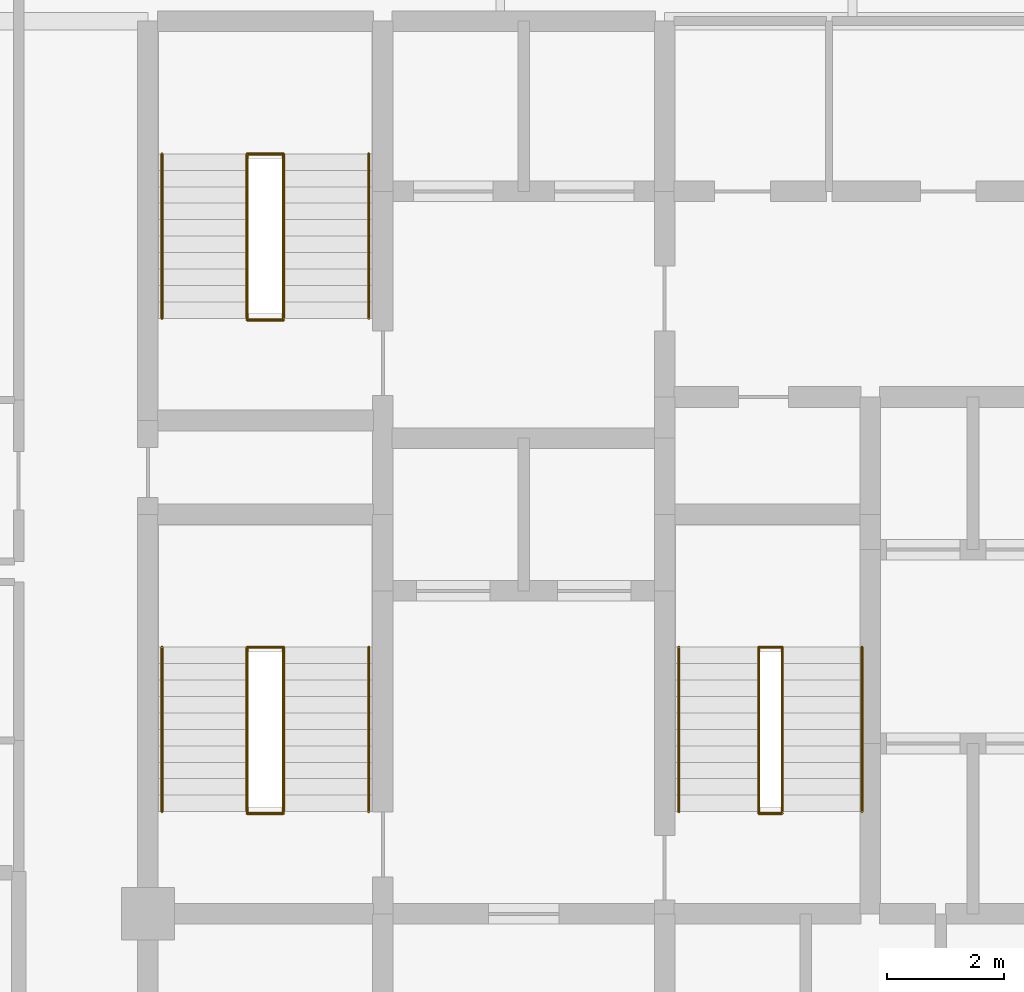
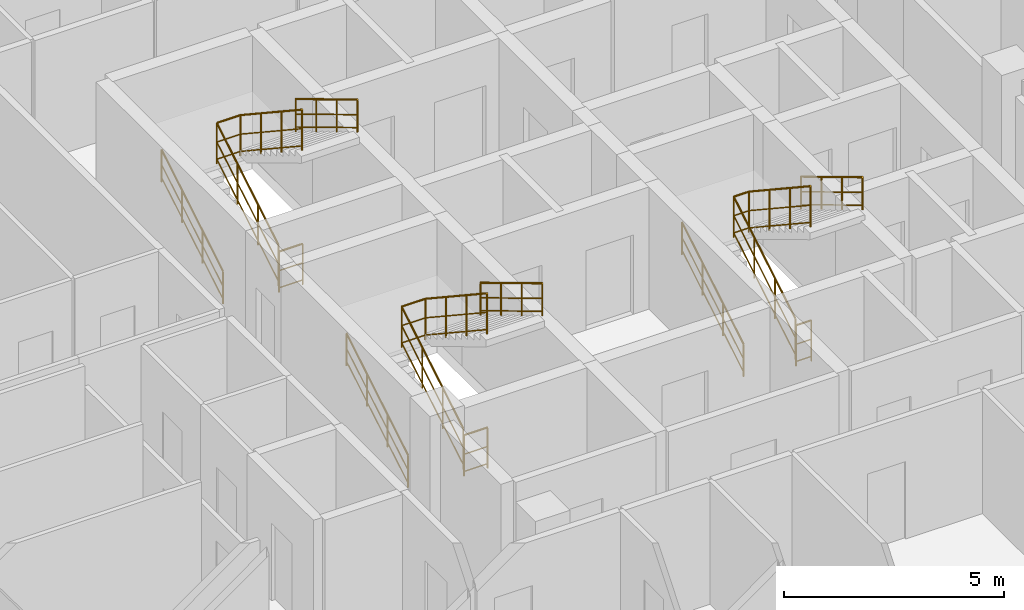
# One storey, part 29 of 29: 12 railings.
"""IFC4 building model written with IfcOpenShell, lengths in metres."""

from ifc_helpers import new_model, si_unit, direction, frame, origin, origin_2d, place, context, subcontext, project, spatial, circle, extrude, material, layer, layer_set, type_object, element, save


model = new_model("IFC4")

# Units and contexts
model_context = context("Model", 3, precision=1e-05, world=origin(), true_north=direction((0.0, 1.0)))
body_context = subcontext(model_context, "Body", "Model", "MODEL_VIEW")
ifc_project = project(units=[si_unit("LENGTHUNIT", "METRE"), si_unit("AREAUNIT", "SQUARE_METRE"), si_unit("VOLUMEUNIT", "CUBIC_METRE"), si_unit("PLANEANGLEUNIT", "RADIAN"), si_unit("MASSUNIT", "GRAM", prefix="KILO")], contexts=[model_context])

# Site, building, storey
site_placement = place(None, origin())
site = spatial("IfcSite", under=ifc_project, at=site_placement, CompositionType="ELEMENT")
building_placement = place(site_placement, origin())
building = spatial("IfcBuilding", under=site, at=building_placement, Name="Keshet Zoharim Tower", CompositionType="ELEMENT")
storey_placement = place(building_placement, frame((0.0, 0.0, 192.10009765625)))
storey = spatial("IfcBuildingStorey", under=building, at=storey_placement, Name="L47", CompositionType="ELEMENT", Elevation=192.10009765625)

# Railings
ifc_material = material(Name="Steel S355", Category="steel")
ifc_layer_1 = layer(ifc_material, 0.050048828125)
ifc_layer_set_1 = layer_set([ifc_layer_1], Name="Steel S355")
railing_type_1 = type_object("IfcRailingType", Name="RL-HND-092", PredefinedType="HANDRAIL", material=ifc_layer_set_1)
railing_1_placement = place(storey_placement, frame((15.239990234375, 24.43994140625, 0.168212890625)))
element("IfcRailing", 1, at=railing_1_placement, inside=storey, type_object=railing_type_1, Name="L47 ST-01 Flight 1 Wall Handrail", PredefinedType="HANDRAIL", context=body_context, shape_type="SweptSolid", body=[
    extrude(circle(Radius=0.02392578125, at=origin_2d()), frame((0.0, 0.0, 0.89599609375), z_axis=(0.0, 0.857275202839, 0.514858452973), x_axis=(-1.0, 0.0, 0.0)), (0.0, 0.0, 1.0), 3.26611328125),
    extrude(circle(Radius=0.01611328125, at=origin_2d()), frame((0.0, 0.0, 0.478271484375), z_axis=(0.0, 0.857275202839, 0.514858452973), x_axis=(-1.0, 0.0, 0.0)), (0.0, 0.0, 1.0), 3.26611328125),
    extrude(circle(Radius=0.01611328125, at=origin_2d()), frame((0.0, 0.0, 0.1201171875), z_axis=(0.0, 0.857275202839, 0.514858452973), x_axis=(-1.0, 0.0, 0.0)), (0.0, 0.0, 1.0), 3.26611328125),
    extrude(circle(Radius=0.02099609375, at=origin_2d()), origin(), (0.0, 0.0, 1.0), 0.871826171875),
    extrude(circle(Radius=0.02099609375, at=origin_2d()), frame((0.0, 0.933349609375, 0.560546875)), (0.0, 0.0, 1.0), 0.871826171875),
    extrude(circle(Radius=0.02099609375, at=origin_2d()), frame((0.0, 1.86669921875, 1.12109375)), (0.0, 0.0, 1.0), 0.871826171875),
    extrude(circle(Radius=0.02099609375, at=origin_2d()), frame((0.0, 2.800048828125, 1.681640625)), (0.0, 0.0, 1.0), 0.871826171875),
])
railing_2_placement = place(storey_placement, frame((18.760009765625, 27.239990234375, 2.01806640625)))
element("IfcRailing", 2, at=railing_2_placement, inside=storey, type_object=railing_type_1, Name="L47 ST-01 Flight 2 Wall Handrail", PredefinedType="HANDRAIL", context=body_context, shape_type="SweptSolid", body=[
    extrude(circle(Radius=0.02392578125, at=origin_2d()), frame((0.0, 0.0, 0.89599609375), z_axis=(0.0, -0.857242210791, 0.514913383045), x_axis=(1.0, 0.0, 0.0)), (0.0, 0.0, 1.0), 3.266357421875),
    extrude(circle(Radius=0.01611328125, at=origin_2d()), frame((0.0, 0.0, 0.478271484375), z_axis=(0.0, -0.857242210791, 0.514913383045), x_axis=(1.0, 0.0, 0.0)), (0.0, 0.0, 1.0), 3.266357421875),
    extrude(circle(Radius=0.01611328125, at=origin_2d()), frame((0.0, 0.0, 0.1201171875), z_axis=(0.0, -0.857242210791, 0.514913383045), x_axis=(1.0, 0.0, 0.0)), (0.0, 0.0, 1.0), 3.266357421875),
    extrude(circle(Radius=0.02099609375, at=origin_2d()), origin(), (0.0, 0.0, 1.0), 0.871826171875),
    extrude(circle(Radius=0.02099609375, at=origin_2d()), frame((0.0, -0.933349609375, 0.560546875)), (0.0, 0.0, 1.0), 0.871826171875),
    extrude(circle(Radius=0.02099609375, at=origin_2d()), frame((0.0, -1.86669921875, 1.121337890625)), (0.0, 0.0, 1.0), 0.871826171875),
    extrude(circle(Radius=0.02099609375, at=origin_2d()), frame((0.0, -2.800048828125, 1.681884765625)), (0.0, 0.0, 1.0), 0.871826171875),
])
railing_3_placement = place(storey_placement, frame((15.239990234375, 32.840087890625, 0.168212890625)))
element("IfcRailing", 3, at=railing_3_placement, inside=storey, type_object=railing_type_1, Name="L47 ST-02 Flight 1 Wall Handrail", PredefinedType="HANDRAIL", context=body_context, shape_type="SweptSolid", body=[
    extrude(circle(Radius=0.02392578125, at=origin_2d()), frame((0.0, 0.0, 0.89599609375), z_axis=(0.0, 0.857255387014, 0.514891446264), x_axis=(-1.0, 0.0, 0.0)), (0.0, 0.0, 1.0), 3.26611328125),
    extrude(circle(Radius=0.01611328125, at=origin_2d()), frame((0.0, 0.0, 0.478271484375), z_axis=(0.0, 0.857255387014, 0.514891446264), x_axis=(-1.0, 0.0, 0.0)), (0.0, 0.0, 1.0), 3.26611328125),
    extrude(circle(Radius=0.01611328125, at=origin_2d()), frame((0.0, 0.0, 0.1201171875), z_axis=(0.0, 0.857255387014, 0.514891446264), x_axis=(-1.0, 0.0, 0.0)), (0.0, 0.0, 1.0), 3.26611328125),
    extrude(circle(Radius=0.02099609375, at=origin_2d()), origin(), (0.0, 0.0, 1.0), 0.871826171875),
    extrude(circle(Radius=0.02099609375, at=origin_2d()), frame((0.0, 0.933349609375, 0.560546875)), (0.0, 0.0, 1.0), 0.871826171875),
    extrude(circle(Radius=0.02099609375, at=origin_2d()), frame((0.0, 1.866455078125, 1.12109375)), (0.0, 0.0, 1.0), 0.871826171875),
    extrude(circle(Radius=0.02099609375, at=origin_2d()), frame((0.0, 2.7998046875, 1.681640625)), (0.0, 0.0, 1.0), 0.871826171875),
])
railing_4_placement = place(storey_placement, frame((18.760009765625, 35.639892578125, 2.01806640625)))
element("IfcRailing", 4, at=railing_4_placement, inside=storey, type_object=railing_type_1, Name="L47 ST-02 Flight 2 Wall Handrail", PredefinedType="HANDRAIL", context=body_context, shape_type="SweptSolid", body=[
    extrude(circle(Radius=0.02392578125, at=origin_2d()), frame((0.0, 0.0, 0.89599609375), z_axis=(0.0, -0.857222391501, 0.514946377315), x_axis=(1.0, 0.0, 0.0)), (0.0, 0.0, 1.0), 3.26611328125),
    extrude(circle(Radius=0.01611328125, at=origin_2d()), frame((0.0, 0.0, 0.478271484375), z_axis=(0.0, -0.857222391501, 0.514946377315), x_axis=(1.0, 0.0, 0.0)), (0.0, 0.0, 1.0), 3.26611328125),
    extrude(circle(Radius=0.01611328125, at=origin_2d()), frame((0.0, 0.0, 0.1201171875), z_axis=(0.0, -0.857222391501, 0.514946377315), x_axis=(1.0, 0.0, 0.0)), (0.0, 0.0, 1.0), 3.26611328125),
    extrude(circle(Radius=0.02099609375, at=origin_2d()), origin(), (0.0, 0.0, 1.0), 0.871826171875),
    extrude(circle(Radius=0.02099609375, at=origin_2d()), frame((0.0, -0.933349609375, 0.560546875)), (0.0, 0.0, 1.0), 0.871826171875),
    extrude(circle(Radius=0.02099609375, at=origin_2d()), frame((0.0, -1.866455078125, 1.121337890625)), (0.0, 0.0, 1.0), 0.871826171875),
    extrude(circle(Radius=0.02099609375, at=origin_2d()), frame((0.0, -2.7998046875, 1.681884765625)), (0.0, 0.0, 1.0), 0.871826171875),
])
railing_5_placement = place(storey_placement, frame((24.0400390625, 24.43994140625, 0.168212890625)))
element("IfcRailing", 5, at=railing_5_placement, inside=storey, type_object=railing_type_1, Name="L47 ST-03 Flight 1 Wall Handrail", PredefinedType="HANDRAIL", context=body_context, shape_type="SweptSolid", body=[
    extrude(circle(Radius=0.02392578125, at=origin_2d()), frame((0.0, 0.0, 0.89599609375), z_axis=(0.0, 0.857275202839, 0.514858452973), x_axis=(-1.0, 0.0, 0.0)), (0.0, 0.0, 1.0), 3.26611328125),
    extrude(circle(Radius=0.01611328125, at=origin_2d()), frame((0.0, 0.0, 0.478271484375), z_axis=(0.0, 0.857275202839, 0.514858452973), x_axis=(-1.0, 0.0, 0.0)), (0.0, 0.0, 1.0), 3.26611328125),
    extrude(circle(Radius=0.01611328125, at=origin_2d()), frame((0.0, 0.0, 0.1201171875), z_axis=(0.0, 0.857275202839, 0.514858452973), x_axis=(-1.0, 0.0, 0.0)), (0.0, 0.0, 1.0), 3.26611328125),
    extrude(circle(Radius=0.02099609375, at=origin_2d()), origin(), (0.0, 0.0, 1.0), 0.871826171875),
    extrude(circle(Radius=0.02099609375, at=origin_2d()), frame((0.0, 0.933349609375, 0.560546875)), (0.0, 0.0, 1.0), 0.871826171875),
    extrude(circle(Radius=0.02099609375, at=origin_2d()), frame((0.0, 1.86669921875, 1.12109375)), (0.0, 0.0, 1.0), 0.871826171875),
    extrude(circle(Radius=0.02099609375, at=origin_2d()), frame((0.0, 2.800048828125, 1.681640625)), (0.0, 0.0, 1.0), 0.871826171875),
])
railing_6_placement = place(storey_placement, frame((27.159912109375, 27.239990234375, 2.01806640625)))
element("IfcRailing", 6, at=railing_6_placement, inside=storey, type_object=railing_type_1, Name="L47 ST-03 Flight 2 Wall Handrail", PredefinedType="HANDRAIL", context=body_context, shape_type="SweptSolid", body=[
    extrude(circle(Radius=0.02392578125, at=origin_2d()), frame((0.0, 0.0, 0.89599609375), z_axis=(0.0, -0.857242210791, 0.514913383045), x_axis=(1.0, 0.0, 0.0)), (0.0, 0.0, 1.0), 3.266357421875),
    extrude(circle(Radius=0.01611328125, at=origin_2d()), frame((0.0, 0.0, 0.478271484375), z_axis=(0.0, -0.857242210791, 0.514913383045), x_axis=(1.0, 0.0, 0.0)), (0.0, 0.0, 1.0), 3.266357421875),
    extrude(circle(Radius=0.01611328125, at=origin_2d()), frame((0.0, 0.0, 0.1201171875), z_axis=(0.0, -0.857242210791, 0.514913383045), x_axis=(1.0, 0.0, 0.0)), (0.0, 0.0, 1.0), 3.266357421875),
    extrude(circle(Radius=0.02099609375, at=origin_2d()), origin(), (0.0, 0.0, 1.0), 0.871826171875),
    extrude(circle(Radius=0.02099609375, at=origin_2d()), frame((0.0, -0.933349609375, 0.560546875)), (0.0, 0.0, 1.0), 0.871826171875),
    extrude(circle(Radius=0.02099609375, at=origin_2d()), frame((0.0, -1.86669921875, 1.121337890625)), (0.0, 0.0, 1.0), 0.871826171875),
    extrude(circle(Radius=0.02099609375, at=origin_2d()), frame((0.0, -2.800048828125, 1.681884765625)), (0.0, 0.0, 1.0), 0.871826171875),
])
ifc_layer_2 = layer(ifc_material, 0.06005859375)
ifc_layer_set_2 = layer_set([ifc_layer_2], Name="Steel S355")
railing_type_2 = type_object("IfcRailingType", Name="RL-STG-115", PredefinedType="GUARDRAIL", material=ifc_layer_set_2)
railing_7_placement = place(storey_placement, frame((16.68994140625, 24.43994140625, 0.168212890625)))
element("IfcRailing", 7, at=railing_7_placement, inside=storey, type_object=railing_type_2, Name="L47 ST-01 Inner Well Guardrail", PredefinedType="GUARDRAIL", context=body_context, shape_type="SweptSolid", body=[
    extrude(circle(Radius=0.02392578125, at=origin_2d()), frame((0.0, 0.0, 1.1259765625), z_axis=(0.0, 0.857275202839, 0.514858452973), x_axis=(-1.0, 0.0, 0.0)), (0.0, 0.0, 1.0), 3.26611328125),
    extrude(circle(Radius=0.01611328125, at=origin_2d()), frame((0.0, 0.0, 0.597900390625), z_axis=(0.0, 0.857275202839, 0.514858452973), x_axis=(-1.0, 0.0, 0.0)), (0.0, 0.0, 1.0), 3.26611328125),
    extrude(circle(Radius=0.01611328125, at=origin_2d()), frame((0.0, 0.0, 0.1201171875), z_axis=(0.0, 0.857275202839, 0.514858452973), x_axis=(-1.0, 0.0, 0.0)), (0.0, 0.0, 1.0), 3.26611328125),
    extrude(circle(Radius=0.02392578125, at=origin_2d()), frame((0.0, 2.800048828125, 2.8076171875), z_axis=(1.0, 0.0, 0.0), x_axis=(0.0, 1.0, 0.0)), (0.0, 0.0, 1.0), 0.6201171875),
    extrude(circle(Radius=0.01611328125, at=origin_2d()), frame((0.0, 2.800048828125, 2.279541015625), z_axis=(1.0, 0.0, 0.0), x_axis=(0.0, 1.0, 0.0)), (0.0, 0.0, 1.0), 0.6201171875),
    extrude(circle(Radius=0.01611328125, at=origin_2d()), frame((0.0, 2.800048828125, 1.8017578125), z_axis=(1.0, 0.0, 0.0), x_axis=(0.0, 1.0, 0.0)), (0.0, 0.0, 1.0), 0.6201171875),
    extrude(circle(Radius=0.02392578125, at=origin_2d()), frame((0.6201171875, 2.800048828125, 2.8076171875), z_axis=(0.0, -0.834326358476, 0.551270829586), x_axis=(1.0, 0.0, 0.0)), (0.0, 0.0, 1.0), 3.35595703125),
    extrude(circle(Radius=0.01611328125, at=origin_2d()), frame((0.6201171875, 2.800048828125, 2.279541015625), z_axis=(0.0, -0.834326358476, 0.551270829586), x_axis=(1.0, 0.0, 0.0)), (0.0, 0.0, 1.0), 3.35595703125),
    extrude(circle(Radius=0.01611328125, at=origin_2d()), frame((0.6201171875, 2.800048828125, 1.8017578125), z_axis=(0.0, -0.834326358476, 0.551270829586), x_axis=(1.0, 0.0, 0.0)), (0.0, 0.0, 1.0), 3.35595703125),
    extrude(circle(Radius=0.02099609375, at=origin_2d()), origin(), (0.0, 0.0, 1.0), 1.101806640625),
    extrude(circle(Radius=0.02099609375, at=origin_2d()), frame((0.0, 0.933349609375, 0.560546875)), (0.0, 0.0, 1.0), 1.101806640625),
    extrude(circle(Radius=0.02099609375, at=origin_2d()), frame((0.0, 1.86669921875, 1.12109375)), (0.0, 0.0, 1.0), 1.101806640625),
    extrude(circle(Radius=0.02099609375, at=origin_2d()), frame((0.0, 2.800048828125, 1.681640625)), (0.0, 0.0, 1.0), 1.101806640625),
    extrude(circle(Radius=0.02099609375, at=origin_2d()), frame((0.6201171875, 2.800048828125, 1.681640625)), (0.0, 0.0, 1.0), 1.101806640625),
    extrude(circle(Radius=0.02099609375, at=origin_2d()), frame((0.6201171875, 1.86669921875, 2.29833984375)), (0.0, 0.0, 1.0), 1.101806640625),
    extrude(circle(Radius=0.02099609375, at=origin_2d()), frame((0.6201171875, 0.933349609375, 2.9150390625)), (0.0, 0.0, 1.0), 1.101806640625),
    extrude(circle(Radius=0.02099609375, at=origin_2d()), frame((0.6201171875, 0.0, 3.53173828125)), (0.0, 0.0, 1.0), 1.101806640625),
])
railing_8_placement = place(storey_placement, frame((16.68994140625, 24.409912109375, 0.0)))
element("IfcRailing", 8, at=railing_8_placement, inside=storey, type_object=railing_type_2, Name="L47 ST-01 Stairwell Floor Guardrail", PredefinedType="GUARDRAIL", context=body_context, shape_type="SweptSolid", body=[
    extrude(circle(Radius=0.02392578125, at=origin_2d()), frame((0.0, 0.0, 1.1259765625), z_axis=(1.0, 0.0, 0.0), x_axis=(0.0, 1.0, 0.0)), (0.0, 0.0, 1.0), 0.6201171875),
    extrude(circle(Radius=0.01611328125, at=origin_2d()), frame((0.0, 0.0, 0.597900390625), z_axis=(1.0, 0.0, 0.0), x_axis=(0.0, 1.0, 0.0)), (0.0, 0.0, 1.0), 0.6201171875),
    extrude(circle(Radius=0.01611328125, at=origin_2d()), frame((0.0, 0.0, 0.1201171875), z_axis=(1.0, 0.0, 0.0), x_axis=(0.0, 1.0, 0.0)), (0.0, 0.0, 1.0), 0.6201171875),
    extrude(circle(Radius=0.02099609375, at=origin_2d()), origin(), (0.0, 0.0, 1.0), 1.101806640625),
    extrude(circle(Radius=0.02099609375, at=origin_2d()), frame((0.6201171875, 0.0, 0.0)), (0.0, 0.0, 1.0), 1.101806640625),
])
railing_9_placement = place(storey_placement, frame((16.68994140625, 32.840087890625, 0.168212890625)))
element("IfcRailing", 9, at=railing_9_placement, inside=storey, type_object=railing_type_2, Name="L47 ST-02 Inner Well Guardrail", PredefinedType="GUARDRAIL", context=body_context, shape_type="SweptSolid", body=[
    extrude(circle(Radius=0.02392578125, at=origin_2d()), frame((0.0, 0.0, 1.1259765625), z_axis=(0.0, 0.857255387014, 0.514891446264), x_axis=(-1.0, 0.0, 0.0)), (0.0, 0.0, 1.0), 3.26611328125),
    extrude(circle(Radius=0.01611328125, at=origin_2d()), frame((0.0, 0.0, 0.597900390625), z_axis=(0.0, 0.857255387014, 0.514891446264), x_axis=(-1.0, 0.0, 0.0)), (0.0, 0.0, 1.0), 3.26611328125),
    extrude(circle(Radius=0.01611328125, at=origin_2d()), frame((0.0, 0.0, 0.1201171875), z_axis=(0.0, 0.857255387014, 0.514891446264), x_axis=(-1.0, 0.0, 0.0)), (0.0, 0.0, 1.0), 3.26611328125),
    extrude(circle(Radius=0.02392578125, at=origin_2d()), frame((0.0, 2.7998046875, 2.8076171875), z_axis=(1.0, 0.0, 0.0), x_axis=(0.0, 1.0, 0.0)), (0.0, 0.0, 1.0), 0.6201171875),
    extrude(circle(Radius=0.01611328125, at=origin_2d()), frame((0.0, 2.7998046875, 2.279541015625), z_axis=(1.0, 0.0, 0.0), x_axis=(0.0, 1.0, 0.0)), (0.0, 0.0, 1.0), 0.6201171875),
    extrude(circle(Radius=0.01611328125, at=origin_2d()), frame((0.0, 2.7998046875, 1.8017578125), z_axis=(1.0, 0.0, 0.0), x_axis=(0.0, 1.0, 0.0)), (0.0, 0.0, 1.0), 0.6201171875),
    extrude(circle(Radius=0.02392578125, at=origin_2d()), frame((0.6201171875, 2.7998046875, 2.8076171875), z_axis=(0.0, -0.834304248922, 0.551304290053), x_axis=(1.0, 0.0, 0.0)), (0.0, 0.0, 1.0), 3.35595703125),
    extrude(circle(Radius=0.01611328125, at=origin_2d()), frame((0.6201171875, 2.7998046875, 2.279541015625), z_axis=(0.0, -0.834304248922, 0.551304290053), x_axis=(1.0, 0.0, 0.0)), (0.0, 0.0, 1.0), 3.35595703125),
    extrude(circle(Radius=0.01611328125, at=origin_2d()), frame((0.6201171875, 2.7998046875, 1.8017578125), z_axis=(0.0, -0.834304248922, 0.551304290053), x_axis=(1.0, 0.0, 0.0)), (0.0, 0.0, 1.0), 3.35595703125),
    extrude(circle(Radius=0.02099609375, at=origin_2d()), origin(), (0.0, 0.0, 1.0), 1.101806640625),
    extrude(circle(Radius=0.02099609375, at=origin_2d()), frame((0.0, 0.933349609375, 0.560546875)), (0.0, 0.0, 1.0), 1.101806640625),
    extrude(circle(Radius=0.02099609375, at=origin_2d()), frame((0.0, 1.866455078125, 1.12109375)), (0.0, 0.0, 1.0), 1.101806640625),
    extrude(circle(Radius=0.02099609375, at=origin_2d()), frame((0.0, 2.7998046875, 1.681640625)), (0.0, 0.0, 1.0), 1.101806640625),
    extrude(circle(Radius=0.02099609375, at=origin_2d()), frame((0.6201171875, 2.7998046875, 1.681640625)), (0.0, 0.0, 1.0), 1.101806640625),
    extrude(circle(Radius=0.02099609375, at=origin_2d()), frame((0.6201171875, 1.866455078125, 2.29833984375)), (0.0, 0.0, 1.0), 1.101806640625),
    extrude(circle(Radius=0.02099609375, at=origin_2d()), frame((0.6201171875, 0.933349609375, 2.9150390625)), (0.0, 0.0, 1.0), 1.101806640625),
    extrude(circle(Radius=0.02099609375, at=origin_2d()), frame((0.6201171875, 0.0, 3.53173828125)), (0.0, 0.0, 1.0), 1.101806640625),
])
railing_10_placement = place(storey_placement, frame((16.68994140625, 32.81005859375, 0.0)))
element("IfcRailing", 10, at=railing_10_placement, inside=storey, type_object=railing_type_2, Name="L47 ST-02 Stairwell Floor Guardrail", PredefinedType="GUARDRAIL", context=body_context, shape_type="SweptSolid", body=[
    extrude(circle(Radius=0.02392578125, at=origin_2d()), frame((0.0, 0.0, 1.1259765625), z_axis=(1.0, 0.0, 0.0), x_axis=(0.0, 1.0, 0.0)), (0.0, 0.0, 1.0), 0.6201171875),
    extrude(circle(Radius=0.01611328125, at=origin_2d()), frame((0.0, 0.0, 0.597900390625), z_axis=(1.0, 0.0, 0.0), x_axis=(0.0, 1.0, 0.0)), (0.0, 0.0, 1.0), 0.6201171875),
    extrude(circle(Radius=0.01611328125, at=origin_2d()), frame((0.0, 0.0, 0.1201171875), z_axis=(1.0, 0.0, 0.0), x_axis=(0.0, 1.0, 0.0)), (0.0, 0.0, 1.0), 0.6201171875),
    extrude(circle(Radius=0.02099609375, at=origin_2d()), origin(), (0.0, 0.0, 1.0), 1.101806640625),
    extrude(circle(Radius=0.02099609375, at=origin_2d()), frame((0.6201171875, 0.0, 0.0)), (0.0, 0.0, 1.0), 1.101806640625),
])
railing_11_placement = place(storey_placement, frame((25.39990234375, 24.43994140625, 0.168212890625)))
element("IfcRailing", 11, at=railing_11_placement, inside=storey, type_object=railing_type_2, Name="L47 ST-03 Inner Well Guardrail", PredefinedType="GUARDRAIL", context=body_context, shape_type="SweptSolid", body=[
    extrude(circle(Radius=0.02392578125, at=origin_2d()), frame((0.0, 0.0, 1.1259765625), z_axis=(0.0, 0.857275202839, 0.514858452973), x_axis=(-1.0, 0.0, 0.0)), (0.0, 0.0, 1.0), 3.26611328125),
    extrude(circle(Radius=0.01611328125, at=origin_2d()), frame((0.0, 0.0, 0.597900390625), z_axis=(0.0, 0.857275202839, 0.514858452973), x_axis=(-1.0, 0.0, 0.0)), (0.0, 0.0, 1.0), 3.26611328125),
    extrude(circle(Radius=0.01611328125, at=origin_2d()), frame((0.0, 0.0, 0.1201171875), z_axis=(0.0, 0.857275202839, 0.514858452973), x_axis=(-1.0, 0.0, 0.0)), (0.0, 0.0, 1.0), 3.26611328125),
    extrude(circle(Radius=0.02392578125, at=origin_2d()), frame((0.0, 2.800048828125, 2.8076171875), z_axis=(1.0, 0.0, 0.0), x_axis=(0.0, 1.0, 0.0)), (0.0, 0.0, 1.0), 0.400146484375),
    extrude(circle(Radius=0.01611328125, at=origin_2d()), frame((0.0, 2.800048828125, 2.279541015625), z_axis=(1.0, 0.0, 0.0), x_axis=(0.0, 1.0, 0.0)), (0.0, 0.0, 1.0), 0.400146484375),
    extrude(circle(Radius=0.01611328125, at=origin_2d()), frame((0.0, 2.800048828125, 1.8017578125), z_axis=(1.0, 0.0, 0.0), x_axis=(0.0, 1.0, 0.0)), (0.0, 0.0, 1.0), 0.400146484375),
    extrude(circle(Radius=0.02392578125, at=origin_2d()), frame((0.400146484375, 2.800048828125, 2.8076171875), z_axis=(0.0, -0.834326358476, 0.551270829586), x_axis=(1.0, 0.0, 0.0)), (0.0, 0.0, 1.0), 3.35595703125),
    extrude(circle(Radius=0.01611328125, at=origin_2d()), frame((0.400146484375, 2.800048828125, 2.279541015625), z_axis=(0.0, -0.834326358476, 0.551270829586), x_axis=(1.0, 0.0, 0.0)), (0.0, 0.0, 1.0), 3.35595703125),
    extrude(circle(Radius=0.01611328125, at=origin_2d()), frame((0.400146484375, 2.800048828125, 1.8017578125), z_axis=(0.0, -0.834326358476, 0.551270829586), x_axis=(1.0, 0.0, 0.0)), (0.0, 0.0, 1.0), 3.35595703125),
    extrude(circle(Radius=0.02099609375, at=origin_2d()), origin(), (0.0, 0.0, 1.0), 1.101806640625),
    extrude(circle(Radius=0.02099609375, at=origin_2d()), frame((0.0, 0.933349609375, 0.560546875)), (0.0, 0.0, 1.0), 1.101806640625),
    extrude(circle(Radius=0.02099609375, at=origin_2d()), frame((0.0, 1.86669921875, 1.12109375)), (0.0, 0.0, 1.0), 1.101806640625),
    extrude(circle(Radius=0.02099609375, at=origin_2d()), frame((0.0, 2.800048828125, 1.681640625)), (0.0, 0.0, 1.0), 1.101806640625),
    extrude(circle(Radius=0.02099609375, at=origin_2d()), frame((0.400146484375, 2.800048828125, 1.681640625)), (0.0, 0.0, 1.0), 1.101806640625),
    extrude(circle(Radius=0.02099609375, at=origin_2d()), frame((0.400146484375, 1.86669921875, 2.29833984375)), (0.0, 0.0, 1.0), 1.101806640625),
    extrude(circle(Radius=0.02099609375, at=origin_2d()), frame((0.400146484375, 0.933349609375, 2.9150390625)), (0.0, 0.0, 1.0), 1.101806640625),
    extrude(circle(Radius=0.02099609375, at=origin_2d()), frame((0.400146484375, 0.0, 3.53173828125)), (0.0, 0.0, 1.0), 1.101806640625),
])
railing_12_placement = place(storey_placement, frame((25.39990234375, 24.409912109375, 0.0)))
element("IfcRailing", 12, at=railing_12_placement, inside=storey, type_object=railing_type_2, Name="L47 ST-03 Stairwell Floor Guardrail", PredefinedType="GUARDRAIL", context=body_context, shape_type="SweptSolid", body=[
    extrude(circle(Radius=0.02392578125, at=origin_2d()), frame((0.0, 0.0, 1.1259765625), z_axis=(1.0, 0.0, 0.0), x_axis=(0.0, 1.0, 0.0)), (0.0, 0.0, 1.0), 0.400146484375),
    extrude(circle(Radius=0.01611328125, at=origin_2d()), frame((0.0, 0.0, 0.597900390625), z_axis=(1.0, 0.0, 0.0), x_axis=(0.0, 1.0, 0.0)), (0.0, 0.0, 1.0), 0.400146484375),
    extrude(circle(Radius=0.01611328125, at=origin_2d()), frame((0.0, 0.0, 0.1201171875), z_axis=(1.0, 0.0, 0.0), x_axis=(0.0, 1.0, 0.0)), (0.0, 0.0, 1.0), 0.400146484375),
    extrude(circle(Radius=0.02099609375, at=origin_2d()), origin(), (0.0, 0.0, 1.0), 1.101806640625),
    extrude(circle(Radius=0.02099609375, at=origin_2d()), frame((0.400146484375, 0.0, 0.0)), (0.0, 0.0, 1.0), 1.101806640625),
])

save(model, "model.ifc")
